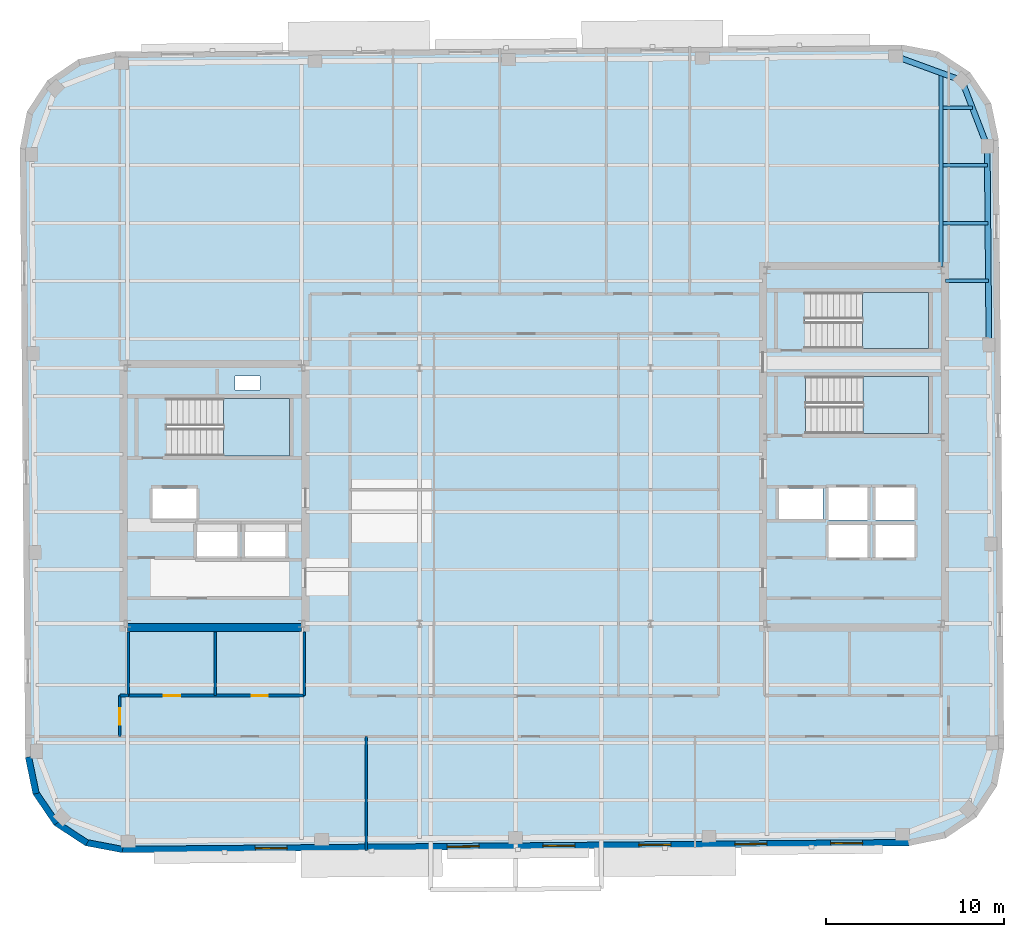
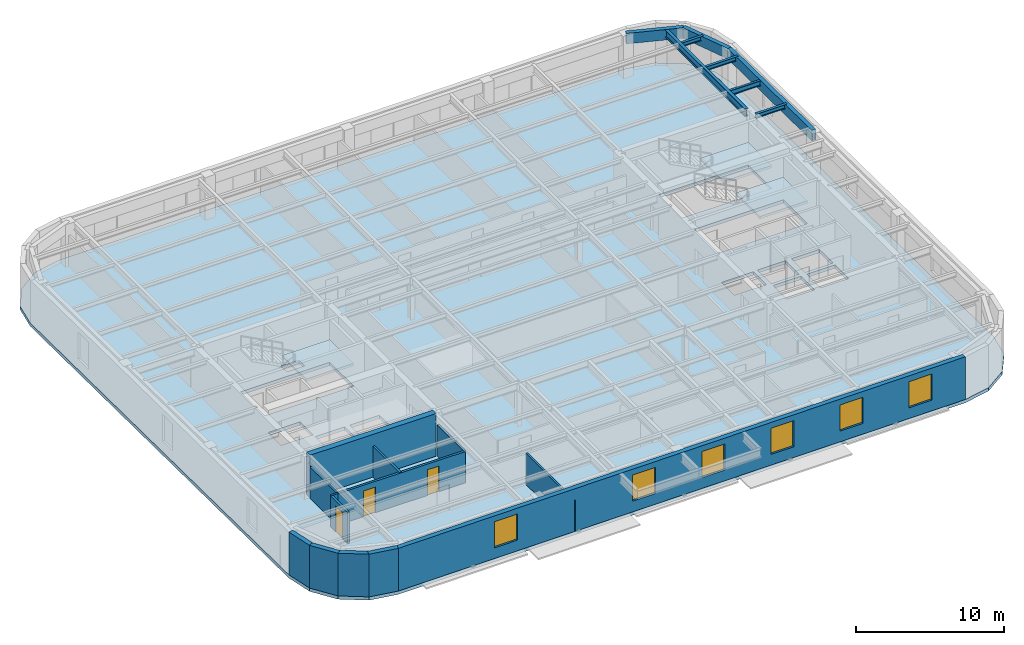
# One storey, part 6 of 14: 13 walls, 8 beams, 6 windows, 4 slabs, 3 doors, 9 openings, 3 elements without a shape of their own.
"""IFC4 building model written with IfcOpenShell, lengths in metres."""

from ifc_helpers import new_model, si_unit, direction, frame, frame_2d, origin, origin_2d, place, context, subcontext, project, spatial, polyline, rectangle, hollow_rectangle, i_section, outline, extrude, material, layer, layer_set, material_profile, profile_set, type_object, element, fill, aggregate, save


model = new_model("IFC4")

# Units and contexts
model_context = context("Model", 3, precision=1e-05, world=origin(), true_north=direction((0.0, 1.0)))
body_context = subcontext(model_context, "Body", "Model", "MODEL_VIEW")
ifc_project = project(units=[si_unit("LENGTHUNIT", "METRE"), si_unit("AREAUNIT", "SQUARE_METRE"), si_unit("VOLUMEUNIT", "CUBIC_METRE"), si_unit("PLANEANGLEUNIT", "RADIAN"), si_unit("MASSUNIT", "GRAM", prefix="KILO")], contexts=[model_context])

# Site, building, storey
site_placement = place(None, origin())
site = spatial("IfcSite", under=ifc_project, at=site_placement, CompositionType="ELEMENT")
building_placement = place(site_placement, origin())
building = spatial("IfcBuilding", under=site, at=building_placement, Name="Kolvaren Arena Tower", CompositionType="ELEMENT")
storey_placement = place(building_placement, frame((0.0, 0.0, 308.64990234375)))
storey = spatial("IfcBuildingStorey", under=building, at=storey_placement, Name="L76", CompositionType="ELEMENT", Elevation=308.64990234375)

# Beams
ifc_material_1 = material(Name="Steel CSA G40.21 350W", Category="steel")
ifc_material_profile_1 = material_profile(ifc_material_1, i_section(OverallWidth=0.180908203125, OverallDepth=0.4169921875, WebThickness=0.010986328125, FlangeThickness=0.018310546875, FilletRadius=0.011962890625, at=origin_2d()), Name="W410x85")
ifc_profile_set_1 = profile_set([ifc_material_profile_1], Name="Steel CSA G40.21 350W")
beam_type_1 = type_object("IfcBeamType", Name="BEAM-F3", PredefinedType="BEAM", material=ifc_profile_set_1)
beam_1_placement = place(storey_placement, frame((60.464111328125, 42.0, 3.301513671875), z_axis=(1.0, 0.0, 0.0), x_axis=(0.0, 1.0, 0.0)))
element("IfcBeam", 1, at=beam_1_placement, inside=storey, type_object=beam_type_1, Name="Composite Floor Beam (L76)", PredefinedType="BEAM", context=body_context, shape_type="SweptSolid", body=[
    extrude(i_section(OverallWidth=0.180908203125, OverallDepth=0.4169921875, WebThickness=0.010986328125, FlangeThickness=0.018310546875, FilletRadius=0.011962890625, at=origin_2d()), origin(), (0.0, 0.0, 1.0), 2.526123046875),
])
ifc_material_profile_2 = material_profile(ifc_material_1, i_section(OverallWidth=0.22802734375, OverallDepth=0.615966796875, WebThickness=0.013916015625, FlangeThickness=0.02490234375, FilletRadius=0.014892578125, at=origin_2d()), Name="W610x174")
ifc_profile_set_2 = profile_set([ifc_material_profile_2], Name="Steel CSA G40.21 350W")
beam_type_2 = type_object("IfcBeamType", Name="GIRD-T3", PredefinedType="BEAM", material=ifc_profile_set_2)
beam_2_placement = place(storey_placement, frame((60.35009765625, 39.554931640625, 3.2021484375), z_axis=(0.0, 1.0, 0.0), x_axis=(-1.0, 0.0, 0.0)))
element("IfcBeam", 2, at=beam_2_placement, inside=storey, type_object=beam_type_2, Name="Primary Floor Girder (L76)", PredefinedType="BEAM", context=body_context, shape_type="SweptSolid", body=[
    extrude(i_section(OverallWidth=0.22802734375, OverallDepth=0.615966796875, WebThickness=0.013916015625, FlangeThickness=0.02490234375, FilletRadius=0.014892578125, at=origin_2d()), origin(), (0.0, 0.0, 1.0), 10.90625),
])
ifc_material_profile_3 = material_profile(ifc_material_1, i_section(OverallWidth=0.202880859375, OverallDepth=0.346923828125, WebThickness=0.0078125, FlangeThickness=0.013427734375, FilletRadius=0.010986328125, at=origin_2d()), Name="W360x64")
ifc_profile_set_3 = profile_set([ifc_material_profile_3], Name="Steel CSA G40.21 350W")
beam_type_3 = type_object("IfcBeamType", Name="JOIST-01", PredefinedType="JOIST", material=ifc_profile_set_3)
beam_3_placement = place(storey_placement, frame((60.594970703125, 38.75, 3.336669921875), z_axis=(1.0, 0.0, 0.0), x_axis=(0.0, 1.0, 0.0)))
element("IfcBeam", 3, at=beam_3_placement, inside=storey, type_object=beam_type_3, Name="Composite Floor Joist (L76)", PredefinedType="JOIST", context=body_context, shape_type="SweptSolid", body=[
    extrude(i_section(OverallWidth=0.202880859375, OverallDepth=0.346923828125, WebThickness=0.0078125, FlangeThickness=0.013427734375, FilletRadius=0.010986328125, at=origin_2d()), origin(), (0.0, 0.0, 1.0), 2.423583984375),
])
beam_4_placement = place(storey_placement, frame((60.464111328125, 45.25, 3.336669921875), z_axis=(1.0, 0.0, 0.0), x_axis=(0.0, 1.0, 0.0)))
element("IfcBeam", 4, at=beam_4_placement, inside=storey, type_object=beam_type_3, Name="Composite Floor Joist (L76)", PredefinedType="JOIST", context=body_context, shape_type="SweptSolid", body=[
    extrude(i_section(OverallWidth=0.202880859375, OverallDepth=0.346923828125, WebThickness=0.0078125, FlangeThickness=0.013427734375, FilletRadius=0.010986328125, at=origin_2d()), origin(), (0.0, 0.0, 1.0), 2.497802734375),
])
beam_5_placement = place(storey_placement, frame((60.464111328125, 48.5, 3.336669921875), z_axis=(1.0, 0.0, 0.0), x_axis=(0.0, 1.0, 0.0)))
element("IfcBeam", 5, at=beam_5_placement, inside=storey, type_object=beam_type_3, Name="Composite Floor Joist (L76)", PredefinedType="JOIST", context=body_context, shape_type="SweptSolid", body=[
    extrude(i_section(OverallWidth=0.202880859375, OverallDepth=0.346923828125, WebThickness=0.0078125, FlangeThickness=0.013427734375, FilletRadius=0.010986328125, at=origin_2d()), origin(), (0.0, 0.0, 1.0), 1.654296875),
])
ifc_material_2 = material(Name="Steel CSA G40.21 350WT", Category="steel")
ifc_material_profile_4 = material_profile(ifc_material_2, hollow_rectangle(XDim=0.320068359375, YDim=0.860107421875, WallThickness=0.01806640625, at=origin_2d()), Name="HSS 860x320x18")
ifc_profile_set_4 = profile_set([ifc_material_profile_4], Name="Steel CSA G40.21 350WT")
beam_type_4 = type_object("IfcBeamType", Name="SPAND-02", PredefinedType="SPANDREL", material=ifc_profile_set_4)
beam_6_placement = place(storey_placement, frame((63.050048828125, 35.134521484375, 3.080078125), z_axis=(-0.008719394723, 0.999961985355, 0.0), x_axis=(-0.999961985355, -0.008719394723, 0.0)))
element("IfcBeam", 6, at=beam_6_placement, inside=storey, type_object=beam_type_4, Name="Perimeter Spandrel Beam (L76)", PredefinedType="SPANDREL", context=body_context, shape_type="SweptSolid", body=[
    extrude(hollow_rectangle(XDim=0.320068359375, YDim=0.860107421875, WallThickness=0.01806640625, at=origin_2d()), origin(), (0.0, 0.0, 1.0), 11.199951171875),
])
for number, where, z_axis, x_axis, name in (
    (7, (62.952392578125, 46.333984375, 3.080078125), (-0.359383792094, 0.933189846698, 0.0), (-0.933189846698, -0.359383792094, 0.0), "Perimeter Spandrel Beam (L76)"),
    (8, (61.52880859375, 50.030517578125, 3.080078125), (-0.939313819882, 0.343059102458, 0.0), (-0.343059102458, -0.939313819882, 0.0), "Perimeter Spandrel Beam (L76)"),
):
    element("IfcBeam", number, at=place(storey_placement, frame(where, z_axis=z_axis, x_axis=x_axis)), inside=storey, type_object=beam_type_4, Name=name, PredefinedType="SPANDREL", context=body_context, shape_type="SweptSolid", body=[
        extrude(hollow_rectangle(XDim=0.320068359375, YDim=0.860107421875, WallThickness=0.01806640625, at=origin_2d()), origin(), (0.0, 0.0, 1.0), 3.961181640625),
    ])

# Stair, slab
ifc_material_3 = material(Name="Concrete 45 MPa", Category="concrete")
stair_type_1 = type_object("IfcStairType", Name="STAIR-CORE-165", PredefinedType="HALF_TURN_STAIR", material=ifc_material_3)
stair_1_placement = place(storey_placement, origin())
stair_1 = element("IfcStair", 9, at=stair_1_placement, inside=storey, type_object=stair_type_1, Name="L76 ST-W1", PredefinedType="HALF_TURN_STAIR")
ifc_layer_1 = layer(ifc_material_3, 0.199951171875)
ifc_layer_set_1 = layer_set([ifc_layer_1], Name="Concrete 45 MPa")
slab_type_1 = type_object("IfcSlabType", Name="SLAB-LAND", PredefinedType="LANDING", material=ifc_layer_set_1)
slab_1_placement = place(storey_placement, frame((0.0, 0.0, 1.675048828125)))
slab_1 = element("IfcSlab", 10, at=slab_1_placement, type_object=slab_type_1, Name="ST-W1 landing 1", PredefinedType="LANDING", context=body_context, shape_type="SweptSolid", body=[
    extrude(outline(polyline([(19.9599609375, 28.89990234375), (23.659912109375, 28.89990234375), (23.659912109375, 32.1298828125), (19.9599609375, 32.1298828125), (19.9599609375, 28.89990234375)])), origin(), (0.0, 0.0, 1.0), 0.199951171875),
])
aggregate(stair_1, [slab_1])

stair_2_placement = place(storey_placement, origin())
stair_2 = element("IfcStair", 11, at=stair_2_placement, inside=storey, type_object=stair_type_1, Name="L76 ST-E1", PredefinedType="HALF_TURN_STAIR")
slab_2_placement = place(storey_placement, frame((0.0, 0.0, 1.675048828125)))
slab_2 = element("IfcSlab", 12, at=slab_2_placement, type_object=slab_type_1, Name="ST-E1 landing 1", PredefinedType="LANDING", context=body_context, shape_type="SweptSolid", body=[
    extrude(outline(polyline([(55.9599609375, 30.14990234375), (59.659912109375, 30.14990234375), (59.659912109375, 33.3798828125), (55.9599609375, 33.3798828125), (55.9599609375, 30.14990234375)])), origin(), (0.0, 0.0, 1.0), 0.199951171875),
])
aggregate(stair_2, [slab_2])

stair_type_2 = type_object("IfcStairType", Name="STAIR-CORE-150", PredefinedType="HALF_TURN_STAIR", material=ifc_material_3)
stair_3_placement = place(storey_placement, origin())
stair_3 = element("IfcStair", 13, at=stair_3_placement, inside=storey, type_object=stair_type_2, Name="L76 ST-E2", PredefinedType="HALF_TURN_STAIR")
slab_3_placement = place(storey_placement, frame((0.0, 0.0, 1.675048828125)))
slab_3 = element("IfcSlab", 14, at=slab_3_placement, type_object=slab_type_1, Name="ST-E2 landing 1", PredefinedType="LANDING", context=body_context, shape_type="SweptSolid", body=[
    extrude(outline(polyline([(55.919921875, 34.949951171875), (59.659912109375, 34.949951171875), (59.659912109375, 38.10009765625), (55.919921875, 38.10009765625), (55.919921875, 34.949951171875)])), origin(), (0.0, 0.0, 1.0), 0.199951171875),
])
aggregate(stair_3, [slab_3])

# Slab
ifc_layer_2 = layer(ifc_material_3, 0.27001953125)
ifc_layer_set_2 = layer_set([ifc_layer_2], Name="Concrete 45 MPa")
slab_type_2 = type_object("IfcSlabType", Name="SLAB-OFF2", PredefinedType="FLOOR", material=ifc_layer_set_2)
slab_4_placement = place(storey_placement, frame((0.0, 0.0, -0.27001953125)))
element("IfcSlab", 15, at=slab_4_placement, inside=storey, type_object=slab_type_2, Name="L76 Primary Structural Slab", PredefinedType="FLOOR", context=body_context, shape_type="SweptSolid", body=[
    extrude(outline(polyline([(58.5458984375, 6.944091796875), (60.60888671875, 7.373291015625), (62.350341796875, 8.55908203125), (63.505615234375, 10.321044921875), (63.898681640625, 12.39111328125), (63.599365234375, 46.689697265625), (63.170166015625, 48.752685546875), (61.984375, 50.494140625), (60.222412109375, 51.6494140625), (58.15234375, 52.04248046875), (13.85400390625, 51.65576171875), (11.791259765625, 51.226806640625), (10.049560546875, 50.041015625), (8.894287109375, 48.27880859375), (8.50146484375, 46.208984375), (8.80078125, 11.91015625), (9.229736328125, 9.847412109375), (10.41552734375, 8.105712890625), (12.177490234375, 6.95068359375), (14.24755859375, 6.5576171875), (58.5458984375, 6.944091796875)]), holes=[polyline([(20.739990234375, 23.135009765625), (18.4599609375, 23.135009765625), (18.4599609375, 25.06494140625), (20.739990234375, 25.06494140625), (20.739990234375, 23.135009765625)]), polyline([(21.159912109375, 23.135009765625), (21.159912109375, 25.06494140625), (23.43994140625, 25.06494140625), (23.43994140625, 23.135009765625), (21.159912109375, 23.135009765625)]), polyline([(56.2099609375, 23.18505859375), (54.030029296875, 23.18505859375), (54.030029296875, 25.014892578125), (56.2099609375, 25.014892578125), (56.2099609375, 23.18505859375)]), polyline([(56.669921875, 23.18505859375), (56.669921875, 25.014892578125), (58.85009765625, 25.014892578125), (58.85009765625, 23.18505859375), (56.669921875, 23.18505859375)]), polyline([(54.030029296875, 25.284912109375), (54.030029296875, 27.114990234375), (56.2099609375, 27.114990234375), (56.2099609375, 25.284912109375), (54.030029296875, 25.284912109375)]), polyline([(58.85009765625, 25.284912109375), (56.669921875, 25.284912109375), (56.669921875, 27.114990234375), (58.85009765625, 27.114990234375), (58.85009765625, 25.284912109375)]), polyline([(15.9599609375, 25.3349609375), (15.9599609375, 27.06494140625), (18.43994140625, 27.06494140625), (18.43994140625, 25.3349609375), (15.9599609375, 25.3349609375)]), polyline([(53.699951171875, 25.3349609375), (51.219970703125, 25.3349609375), (51.219970703125, 27.06494140625), (53.699951171875, 27.06494140625), (53.699951171875, 25.3349609375)]), polyline([(16.735107421875, 28.89990234375), (16.735107421875, 32.1298828125), (23.659912109375, 32.1298828125), (23.659912109375, 28.89990234375), (16.735107421875, 28.89990234375)]), polyline([(52.735107421875, 30.14990234375), (52.735107421875, 33.3798828125), (59.659912109375, 33.3798828125), (59.659912109375, 30.14990234375), (52.735107421875, 30.14990234375)]), polyline([(20.60009765625, 32.6201171875), (20.60009765625, 33.39990234375), (22.0, 33.39990234375), (22.0, 32.6201171875), (20.60009765625, 32.6201171875)]), polyline([(52.695068359375, 34.949951171875), (52.695068359375, 38.10009765625), (59.659912109375, 38.10009765625), (59.659912109375, 34.949951171875), (52.695068359375, 34.949951171875)])]), origin(), (0.0, 0.0, 1.0), 0.27001953125),
])

# Wall, opening, door
ifc_material_4 = material(Name="Gypsum board acoustic assembly", Category="gypsum")
ifc_layer_3 = layer(ifc_material_4, 0.159912109375)
ifc_layer_set_3 = layer_set([ifc_layer_3], Name="Gypsum board acoustic assembly")
wall_type_1 = type_object("IfcWallType", Name="CORR-160", PredefinedType="PARTITIONING", material=ifc_layer_set_3)
wall_1_placement = place(storey_placement, frame((14.1201171875, 13.10009765625, 0.0), z_axis=(0.0, 0.0, 1.0), x_axis=(0.0, 1.0, 0.0)))
wall_1 = element("IfcWall", 16, at=wall_1_placement, inside=storey, type_object=wall_type_1, Name="Interior Partition Wall (L76)", PredefinedType="PARTITIONING", context=body_context, shape_type="SweptSolid", body=[
    extrude(rectangle(XDim=2.2998046875, YDim=0.159912109375, at=frame_2d((1.14990234375, 0.0))), origin(), (0.0, 0.0, 1.0), 2.570068359375),
])
opening_1_placement = place(wall_1_placement, frame((0.64990234375, 0.0, 0.0)))
opening_1 = element("IfcOpeningElement", 17, at=opening_1_placement, cuts=wall_1, Name="Opening D05", PredefinedType="OPENING", context=body_context, shape_type="SweptSolid", body=[
    extrude(rectangle(XDim=0.949951171875, YDim=2.14990234375, at=frame_2d((0.47509765625, 1.074951171875))), frame((0.0, 0.08984375, 0.0), z_axis=(0.0, -1.0, 0.0), x_axis=(1.0, 0.0, 0.0)), (0.0, 0.0, 1.0), 0.179931640625),
])
ifc_material_5 = material(Name="Solid-core oak acoustic office door", Category="wood")
door_type_1 = type_object("IfcDoorType", Name="DOOR-OF-095", OperationType="NOTDEFINED", PredefinedType="DOOR", material=ifc_material_5)
door_1_placement = place(opening_1_placement, origin())
door_1 = element("IfcDoor", 18, at=door_1_placement, inside=storey, type_object=door_type_1, Name="West Wing Office Door (L76)", OperationType="SINGLE_SWING_LEFT", OverallHeight=2.14990234375, OverallWidth=0.949951171875, PredefinedType="DOOR", context=body_context, shape_type="SweptSolid", body=[
    extrude(rectangle(XDim=0.949951171875, YDim=2.14990234375, at=frame_2d((0.47509765625, 1.074951171875))), frame((0.0, 0.02490234375, 0.0), z_axis=(0.0, -1.0, 0.0), x_axis=(1.0, 0.0, 0.0)), (0.0, 0.0, 1.0), 0.050048828125),
])
fill(opening_1, door_1)

# Walls
wall_2_placement = place(storey_placement, frame((14.1201171875, 15.39990234375, 0.0), z_axis=(0.0, 0.0, 1.0), x_axis=(1.0, 0.0, 0.0)))
element("IfcWall", 19, at=wall_2_placement, inside=storey, type_object=wall_type_1, Name="Interior Partition Wall (L76)", PredefinedType="PARTITIONING", context=body_context, shape_type="SweptSolid", body=[
    extrude(rectangle(XDim=0.5, YDim=0.159912109375, at=frame_2d((0.25, 0.0))), origin(), (0.0, 0.0, 1.0), 2.570068359375),
])
ifc_material_6 = material(Name="Concrete 55 MPa", Category="concrete")
ifc_layer_4 = layer(ifc_material_6, 0.449951171875)
ifc_layer_set_4 = layer_set([ifc_layer_4], Name="Concrete 55 MPa")
wall_type_2 = type_object("IfcWallType", Name="CWALL-450", PredefinedType="SHEAR", material=ifc_layer_set_4)
wall_3_placement = place(storey_placement, frame((14.550048828125, 19.22509765625, -0.27001953125), z_axis=(0.0, 0.0, 1.0), x_axis=(1.0, 0.0, 0.0)))
element("IfcWall", 20, at=wall_3_placement, inside=storey, type_object=wall_type_2, Name="Core Shear Wall WC-SOUTH (L76)", PredefinedType="SHEAR", context=body_context, shape_type="SweptSolid", body=[
    extrude(rectangle(XDim=9.800048828125, YDim=0.449951171875, at=frame_2d((4.89990234375, 0.0))), origin(), (0.0, 0.0, 1.0), 3.780029296875),
])
ifc_material_7 = material(Name="Precast concrete C50/60", Category="concrete")
ifc_layer_5 = layer(ifc_material_7, 0.360107421875)
ifc_layer_set_5 = layer_set([ifc_layer_5], Name="Precast concrete C50/60")
wall_type_3 = type_object("IfcWallType", Name="EXT-PIER2", PredefinedType="SOLIDWALL", material=ifc_layer_set_5)
wall_4_placement = place(storey_placement, frame((9.406005859375, 9.884033203125, 0.0), z_axis=(0.0, 0.0, 1.0), x_axis=(-0.203685893209, 0.979036289883, 0.0)))
element("IfcWall", 21, at=wall_4_placement, inside=storey, type_object=wall_type_3, Name="Exterior Precast Masonry-Frame Wall (L76)", PredefinedType="SOLIDWALL", context=body_context, shape_type="SweptSolid", body=[
    extrude(rectangle(XDim=2.107177734375, YDim=0.360107421875, at=frame_2d((1.0537109375, 0.0))), origin(), (0.0, 0.0, 1.0), 3.510009765625),
])
for number, where, z_axis, x_axis, name in (
    (22, (10.564453125, 8.20703125, 0.0), (0.0, 0.0, 1.0), (-0.56277581689, 0.826609569219, 0.0), "Exterior Precast Masonry-Frame Wall (L76)"),
    (23, (12.2763671875, 7.10107421875, 0.0), (0.0, 0.0, 1.0), (-0.836268756678, 0.548319766745, 0.0), "Exterior Precast Masonry-Frame Wall (L76)"),
):
    element("IfcWall", number, at=place(storey_placement, frame(where, z_axis=z_axis, x_axis=x_axis)), inside=storey, type_object=wall_type_3, Name=name, PredefinedType="SOLIDWALL", context=body_context, shape_type="SweptSolid", body=[
        extrude(rectangle(XDim=2.10693359375, YDim=0.360107421875, at=frame_2d((1.053466796875, 0.0))), origin(), (0.0, 0.0, 1.0), 3.510009765625),
    ])
wall_5_placement = place(storey_placement, frame((14.28125, 6.734375, 0.0), z_axis=(0.0, 0.0, 1.0), x_axis=(-0.982445905584, 0.186547695246, 0.0)))
element("IfcWall", 24, at=wall_5_placement, inside=storey, type_object=wall_type_3, Name="Exterior Precast Masonry-Frame Wall (L76)", PredefinedType="SOLIDWALL", context=body_context, shape_type="SweptSolid", body=[
    extrude(rectangle(XDim=2.107177734375, YDim=0.360107421875, at=frame_2d((1.0537109375, 0.0))), origin(), (0.0, 0.0, 1.0), 3.510009765625),
])

# Wall, openings, windows
wall_6_placement = place(storey_placement, frame((58.544189453125, 7.124267578125, 0.0), z_axis=(0.0, 0.0, 1.0), x_axis=(-0.999961896442, -0.008729585516, 0.0)))
wall_6 = element("IfcWall", 25, at=wall_6_placement, inside=storey, type_object=wall_type_3, Name="Exterior Precast Masonry-Frame Wall (L76)", PredefinedType="SOLIDWALL", context=body_context, shape_type="SweptSolid", body=[
    extrude(rectangle(XDim=44.2998046875, YDim=0.360107421875, at=frame_2d((22.14990234375, 0.0))), origin(), (0.0, 0.0, 1.0), 3.510009765625),
])
opening_2_placement = place(wall_6_placement, frame((2.60009765625, 0.0, 0.8798828125)))
opening_2 = element("IfcOpeningElement", 26, at=opening_2_placement, cuts=wall_6, Name="Opening W02", PredefinedType="OPENING", context=body_context, shape_type="SweptSolid", body=[
    extrude(rectangle(XDim=1.800048828125, YDim=2.14990234375, at=frame_2d((0.89990234375, 1.074951171875))), frame((0.0, 0.18994140625, 0.0), z_axis=(0.0, -1.0, 0.0), x_axis=(1.0, 0.0, 0.0)), (0.0, 0.0, 1.0), 0.380126953125),
])
opening_3_placement = place(wall_6_placement, frame((8.0, 0.0, 0.8798828125)))
opening_3 = element("IfcOpeningElement", 27, at=opening_3_placement, cuts=wall_6, Name="Opening W02", PredefinedType="OPENING", context=body_context, shape_type="SweptSolid", body=[
    extrude(rectangle(XDim=1.800048828125, YDim=2.14990234375, at=frame_2d((0.89990234375, 1.074951171875))), frame((0.0, 0.18994140625, 0.0), z_axis=(0.0, -1.0, 0.0), x_axis=(1.0, 0.0, 0.0)), (0.0, 0.0, 1.0), 0.380126953125),
])
opening_4_placement = place(wall_6_placement, frame((13.39990234375, 0.0, 0.8798828125)))
opening_4 = element("IfcOpeningElement", 28, at=opening_4_placement, cuts=wall_6, Name="Opening W02", PredefinedType="OPENING", context=body_context, shape_type="SweptSolid", body=[
    extrude(rectangle(XDim=1.800048828125, YDim=2.14990234375, at=frame_2d((0.89990234375, 1.074951171875))), frame((0.0, 0.18994140625, 0.0), z_axis=(0.0, -1.0, 0.0), x_axis=(1.0, 0.0, 0.0)), (0.0, 0.0, 1.0), 0.380126953125),
])
opening_5_placement = place(wall_6_placement, frame((18.800048828125, 0.0, 0.8798828125)))
opening_5 = element("IfcOpeningElement", 29, at=opening_5_placement, cuts=wall_6, Name="Opening W02", PredefinedType="OPENING", context=body_context, shape_type="SweptSolid", body=[
    extrude(rectangle(XDim=1.800048828125, YDim=2.14990234375, at=frame_2d((0.89990234375, 1.074951171875))), frame((0.0, 0.18994140625, 0.0), z_axis=(0.0, -1.0, 0.0), x_axis=(1.0, 0.0, 0.0)), (0.0, 0.0, 1.0), 0.380126953125),
])
opening_6_placement = place(wall_6_placement, frame((24.199951171875, 0.0, 0.8798828125)))
opening_6 = element("IfcOpeningElement", 30, at=opening_6_placement, cuts=wall_6, Name="Opening W02", PredefinedType="OPENING", context=body_context, shape_type="SweptSolid", body=[
    extrude(rectangle(XDim=1.800048828125, YDim=2.14990234375, at=frame_2d((0.89990234375, 1.074951171875))), frame((0.0, 0.18994140625, 0.0), z_axis=(0.0, -1.0, 0.0), x_axis=(1.0, 0.0, 0.0)), (0.0, 0.0, 1.0), 0.380126953125),
])
opening_7_placement = place(wall_6_placement, frame((35.0, 0.0, 0.8798828125)))
opening_7 = element("IfcOpeningElement", 31, at=opening_7_placement, cuts=wall_6, Name="Opening W02", PredefinedType="OPENING", context=body_context, shape_type="SweptSolid", body=[
    extrude(rectangle(XDim=1.800048828125, YDim=2.14990234375, at=frame_2d((0.89990234375, 1.074951171875))), frame((0.0, 0.18994140625, 0.0), z_axis=(0.0, -1.0, 0.0), x_axis=(1.0, 0.0, 0.0)), (0.0, 0.0, 1.0), 0.380126953125),
])
ifc_material_8 = material(Name="Triple-glazed low-E aluminium window", Category="aluminium")
window_type = type_object("IfcWindowType", Name="WIN-OFF-B", PartitioningType="DOUBLE_PANEL_VERTICAL", PredefinedType="WINDOW", material=ifc_material_8)
window_1_placement = place(opening_2_placement, origin())
window_1 = element("IfcWindow", 32, at=window_1_placement, inside=storey, type_object=window_type, Name="Punched Precast-Pier Window (L76)", OverallHeight=2.14990234375, OverallWidth=1.800048828125, PartitioningType="DOUBLE_PANEL_VERTICAL", PredefinedType="WINDOW", context=body_context, shape_type="SweptSolid", body=[
    extrude(rectangle(XDim=1.800048828125, YDim=2.14990234375, at=frame_2d((0.89990234375, 1.074951171875))), frame((0.0, 0.030029296875, 0.0), z_axis=(0.0, -1.0, 0.0), x_axis=(1.0, 0.0, 0.0)), (0.0, 0.0, 1.0), 0.06005859375),
])
fill(opening_2, window_1)
window_2_placement = place(opening_3_placement, origin())
window_2 = element("IfcWindow", 33, at=window_2_placement, inside=storey, type_object=window_type, Name="Punched Precast-Pier Window (L76)", OverallHeight=2.14990234375, OverallWidth=1.800048828125, PartitioningType="DOUBLE_PANEL_VERTICAL", PredefinedType="WINDOW", context=body_context, shape_type="SweptSolid", body=[
    extrude(rectangle(XDim=1.800048828125, YDim=2.14990234375, at=frame_2d((0.89990234375, 1.074951171875))), frame((0.0, 0.030029296875, 0.0), z_axis=(0.0, -1.0, 0.0), x_axis=(1.0, 0.0, 0.0)), (0.0, 0.0, 1.0), 0.06005859375),
])
fill(opening_3, window_2)
window_3_placement = place(opening_4_placement, origin())
window_3 = element("IfcWindow", 34, at=window_3_placement, inside=storey, type_object=window_type, Name="Punched Precast-Pier Window (L76)", OverallHeight=2.14990234375, OverallWidth=1.800048828125, PartitioningType="DOUBLE_PANEL_VERTICAL", PredefinedType="WINDOW", context=body_context, shape_type="SweptSolid", body=[
    extrude(rectangle(XDim=1.800048828125, YDim=2.14990234375, at=frame_2d((0.89990234375, 1.074951171875))), frame((0.0, 0.030029296875, 0.0), z_axis=(0.0, -1.0, 0.0), x_axis=(1.0, 0.0, 0.0)), (0.0, 0.0, 1.0), 0.06005859375),
])
fill(opening_4, window_3)
window_4_placement = place(opening_5_placement, origin())
window_4 = element("IfcWindow", 35, at=window_4_placement, inside=storey, type_object=window_type, Name="Punched Precast-Pier Window (L76)", OverallHeight=2.14990234375, OverallWidth=1.800048828125, PartitioningType="DOUBLE_PANEL_VERTICAL", PredefinedType="WINDOW", context=body_context, shape_type="SweptSolid", body=[
    extrude(rectangle(XDim=1.800048828125, YDim=2.14990234375, at=frame_2d((0.89990234375, 1.074951171875))), frame((0.0, 0.030029296875, 0.0), z_axis=(0.0, -1.0, 0.0), x_axis=(1.0, 0.0, 0.0)), (0.0, 0.0, 1.0), 0.06005859375),
])
fill(opening_5, window_4)
window_5_placement = place(opening_6_placement, origin())
window_5 = element("IfcWindow", 36, at=window_5_placement, inside=storey, type_object=window_type, Name="Punched Precast-Pier Window (L76)", OverallHeight=2.14990234375, OverallWidth=1.800048828125, PartitioningType="DOUBLE_PANEL_VERTICAL", PredefinedType="WINDOW", context=body_context, shape_type="SweptSolid", body=[
    extrude(rectangle(XDim=1.800048828125, YDim=2.14990234375, at=frame_2d((0.89990234375, 1.074951171875))), frame((0.0, 0.030029296875, 0.0), z_axis=(0.0, -1.0, 0.0), x_axis=(1.0, 0.0, 0.0)), (0.0, 0.0, 1.0), 0.06005859375),
])
fill(opening_6, window_5)
window_6_placement = place(opening_7_placement, origin())
window_6 = element("IfcWindow", 37, at=window_6_placement, inside=storey, type_object=window_type, Name="Punched Precast-Pier Window (L76)", OverallHeight=2.14990234375, OverallWidth=1.800048828125, PartitioningType="DOUBLE_PANEL_VERTICAL", PredefinedType="WINDOW", context=body_context, shape_type="SweptSolid", body=[
    extrude(rectangle(XDim=1.800048828125, YDim=2.14990234375, at=frame_2d((0.89990234375, 1.074951171875))), frame((0.0, 0.030029296875, 0.0), z_axis=(0.0, -1.0, 0.0), x_axis=(1.0, 0.0, 0.0)), (0.0, 0.0, 1.0), 0.06005859375),
])
fill(opening_7, window_6)

# Walls
ifc_material_9 = material(Name="Gypsum board partition assembly", Category="gypsum")
ifc_layer_6 = layer(ifc_material_9, 0.135009765625)
ifc_layer_set_6 = layer_set([ifc_layer_6], Name="Gypsum board partition assembly")
wall_type_4 = type_object("IfcWallType", Name="PART-135", PredefinedType="PARTITIONING", material=ifc_layer_set_6)
wall_7_placement = place(storey_placement, frame((28.0, 6.677490234375, 0.0), z_axis=(0.0, 0.0, 1.0), x_axis=(0.0, 1.0, 0.0)))
element("IfcWall", 38, at=wall_7_placement, inside=storey, type_object=wall_type_4, Name="Interior Partition Wall (L76)", PredefinedType="PARTITIONING", context=body_context, shape_type="SweptSolid", body=[
    extrude(rectangle(XDim=6.422607421875, YDim=0.135009765625, at=frame_2d((3.21142578125, 0.0))), origin(), (0.0, 0.0, 1.0), 2.570068359375),
])
ifc_material_10 = material(Name="Moisture-resistant gypsum assembly", Category="gypsum")
ifc_layer_7 = layer(ifc_material_10, 0.14990234375)
ifc_layer_set_7 = layer_set([ifc_layer_7], Name="Moisture-resistant gypsum assembly")
wall_type_5 = type_object("IfcWallType", Name="WETW-150", PredefinedType="PARTITIONING", material=ifc_layer_set_7)
wall_8_placement = place(storey_placement, frame((19.5, 15.39990234375, 0.0), z_axis=(0.0, 0.0, 1.0), x_axis=(0.0, 1.0, 0.0)))
element("IfcWall", 39, at=wall_8_placement, inside=storey, type_object=wall_type_5, Name="Interior Partition Wall (L76)", PredefinedType="PARTITIONING", context=body_context, shape_type="SweptSolid", body=[
    extrude(rectangle(XDim=3.580078125, YDim=0.14990234375, at=frame_2d((1.7900390625, 0.0))), origin(), (0.0, 0.0, 1.0), 2.570068359375),
])

# Wall, openings, doors
wall_9_placement = place(storey_placement, frame((14.60009765625, 15.39990234375, 0.0), z_axis=(0.0, 0.0, 1.0), x_axis=(1.0, 0.0, 0.0)))
wall_9 = element("IfcWall", 40, at=wall_9_placement, inside=storey, type_object=wall_type_5, Name="Interior Partition Wall (L76)", PredefinedType="PARTITIONING", context=body_context, shape_type="SweptSolid", body=[
    extrude(rectangle(XDim=9.89990234375, YDim=0.179931640625, at=frame_2d((4.949951171875, 0.0))), origin(), (0.0, 0.0, 1.0), 2.570068359375),
])
opening_8_placement = place(wall_9_placement, frame((1.989990234375, 0.0, 0.0)))
opening_8 = element("IfcOpeningElement", 41, at=opening_8_placement, cuts=wall_9, Name="Opening D07", PredefinedType="OPENING", context=body_context, shape_type="SweptSolid", body=[
    extrude(rectangle(XDim=0.919921875, YDim=2.10009765625, at=frame_2d((0.4599609375, 1.050048828125))), frame((0.0, 0.099853515625, 0.0), z_axis=(0.0, -1.0, 0.0), x_axis=(1.0, 0.0, 0.0)), (0.0, 0.0, 1.0), 0.199951171875),
])
opening_9_placement = place(wall_9_placement, frame((6.93994140625, 0.0, 0.0)))
opening_9 = element("IfcOpeningElement", 42, at=opening_9_placement, cuts=wall_9, Name="Opening D07", PredefinedType="OPENING", context=body_context, shape_type="SweptSolid", body=[
    extrude(rectangle(XDim=0.919921875, YDim=2.10009765625, at=frame_2d((0.4599609375, 1.050048828125))), frame((0.0, 0.099853515625, 0.0), z_axis=(0.0, -1.0, 0.0), x_axis=(1.0, 0.0, 0.0)), (0.0, 0.0, 1.0), 0.199951171875),
])
ifc_material_11 = material(Name="Laminate universal washroom door", Category="wood")
door_type_2 = type_object("IfcDoorType", Name="DOOR-WC-092", OperationType="NOTDEFINED", PredefinedType="DOOR", material=ifc_material_11)
door_2_placement = place(opening_8_placement, origin())
door_2 = element("IfcDoor", 43, at=door_2_placement, inside=storey, type_object=door_type_2, Name="Universal Barrier-Free Washroom Door (L76)", OperationType="SINGLE_SWING_RIGHT", OverallHeight=2.10009765625, OverallWidth=0.919921875, PredefinedType="DOOR", context=body_context, shape_type="SweptSolid", body=[
    extrude(rectangle(XDim=0.919921875, YDim=2.10009765625, at=frame_2d((0.4599609375, 1.050048828125))), frame((0.0, 0.02490234375, 0.0), z_axis=(0.0, -1.0, 0.0), x_axis=(1.0, 0.0, 0.0)), (0.0, 0.0, 1.0), 0.050048828125),
])
fill(opening_8, door_2)
door_3_placement = place(opening_9_placement, origin())
door_3 = element("IfcDoor", 44, at=door_3_placement, inside=storey, type_object=door_type_2, Name="Gender-Neutral Washroom Door (L76)", OperationType="SINGLE_SWING_LEFT", OverallHeight=2.10009765625, OverallWidth=0.919921875, PredefinedType="DOOR", context=body_context, shape_type="SweptSolid", body=[
    extrude(rectangle(XDim=0.919921875, YDim=2.10009765625, at=frame_2d((0.4599609375, 1.050048828125))), frame((0.0, 0.02490234375, 0.0), z_axis=(0.0, -1.0, 0.0), x_axis=(1.0, 0.0, 0.0)), (0.0, 0.0, 1.0), 0.050048828125),
])
fill(opening_9, door_3)

# Walls
for number, where, z_axis, x_axis, name in (
    (45, (14.60009765625, 15.39990234375, 0.0), (0.0, 0.0, 1.0), (0.0, 1.0, 0.0), "Interior Partition Wall (L76)"),
    (46, (24.5, 15.39990234375, 0.0), (0.0, 0.0, 1.0), (0.0, 1.0, 0.0), "Interior Partition Wall (L76)"),
):
    element("IfcWall", number, at=place(storey_placement, frame(where, z_axis=z_axis, x_axis=x_axis)), inside=storey, type_object=wall_type_5, Name=name, PredefinedType="PARTITIONING", context=body_context, shape_type="SweptSolid", body=[
        extrude(rectangle(XDim=3.580078125, YDim=0.14990234375, at=frame_2d((1.7900390625, 0.0))), origin(), (0.0, 0.0, 1.0), 2.570068359375),
    ])

save(model, "model.ifc")
